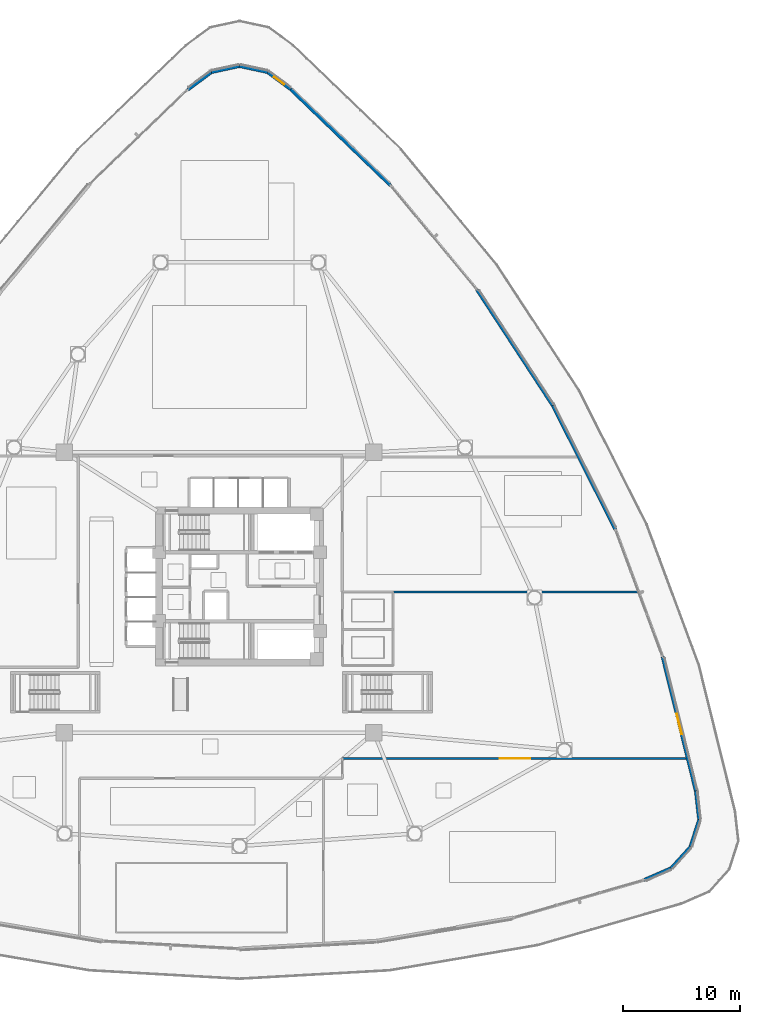
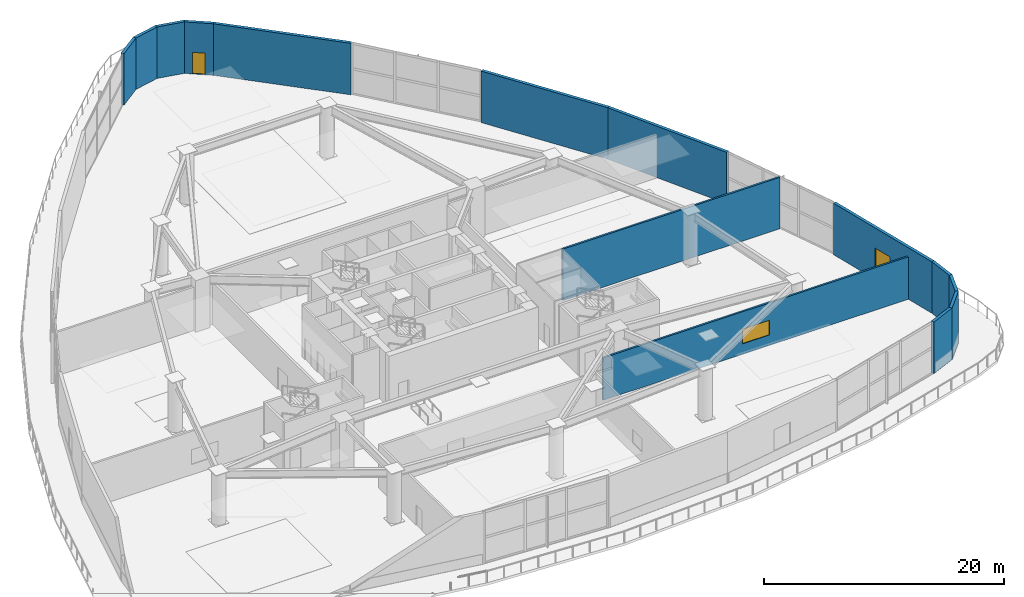
# One storey, part 15 of 26: 14 walls, 2 windows, 1 door, 3 openings.
"""IFC4 building model written with IfcOpenShell, lengths in metres."""

import ifcopenshell
import ifcopenshell.guid

model = None  # the IFC model being written
_history = None  # IfcOwnerHistory: only IFC2X3 demands one
_inside = {}  # id of a spatial element -> (the spatial element, [elements in it])
_under = {}  # id of a project, library or spatial element -> (it, [spatial elements below it])
_declared = {}  # id of a project -> (the project, [libraries it declares])
_typed = {}  # id of a type object -> (the type object, [elements of that type])
_made_of = {}  # id of a material, layer set ... -> (it, [elements and type objects made of it])


def new_model(schema):
    """Start an empty IFC model of exactly this schema.

    Asked for "IFC4X3", IfcOpenShell would pick the latest addendum, in which some entities
    have other attributes; the version numbers below select the first issue.
    IFC2X3 requires an IfcOwnerHistory on every rooted entity: one is made here for all.
    """
    global model, _history
    if schema == "IFC4X3":
        model = ifcopenshell.file(schema_version=(4, 3, 0, 0))
    else:
        model = ifcopenshell.file(schema=schema)
    _inside.clear()
    _under.clear()
    _declared.clear()
    _typed.clear()
    _made_of.clear()
    _history = None
    if model.schema == "IFC2X3":
        org = make("IfcOrganization", Name="unknown")
        user = make(
            "IfcPersonAndOrganization",
            ThePerson=make("IfcPerson", FamilyName="unknown"),
            TheOrganization=org,
        )
        app = make(
            "IfcApplication",
            ApplicationDeveloper=org,
            Version="unknown",
            ApplicationFullName="unknown",
            ApplicationIdentifier="unknown",
        )
        _history = make(
            "IfcOwnerHistory",
            OwningUser=user,
            OwningApplication=app,
            ChangeAction="ADDED",
            CreationDate=0,
        )
    return model


def make(cls, **values):
    """One entity of the class cls with the attributes given. An attribute that is None is left unset."""
    return model.create_entity(
        cls, **{name: value for name, value in values.items() if value is not None}
    )


def rooted(cls, **values):
    """An entity with a GlobalId (a new one), such as an element, a storey or a relation."""
    return make(cls, GlobalId=ifcopenshell.guid.new(), OwnerHistory=_history, **values)


def si_unit(unit_type, name, prefix=None):
    """IfcSIUnit, for example si_unit("LENGTHUNIT", "METRE", prefix="MILLI")."""
    return make("IfcSIUnit", UnitType=unit_type, Prefix=prefix, Name=name)


def assignment(units):
    """IfcUnitAssignment: the units of a project."""
    return None if units is None else make("IfcUnitAssignment", Units=units)


def point(xyz):
    """IfcCartesianPoint."""
    return None if xyz is None else make("IfcCartesianPoint", Coordinates=xyz)


def direction(xyz):
    """IfcDirection."""
    return None if xyz is None else make("IfcDirection", DirectionRatios=xyz)


def frame(location, z_axis=None, x_axis=None):
    """IfcAxis2Placement3D, a coordinate frame: its origin and axes. An axis left out is left unset."""
    return make(
        "IfcAxis2Placement3D",
        Location=point(location),
        Axis=direction(z_axis),
        RefDirection=direction(x_axis),
    )


def frame_2d(location, x_axis=None):
    """IfcAxis2Placement2D, a coordinate frame in the plane: its origin and x axis."""
    return make(
        "IfcAxis2Placement2D", Location=point(location), RefDirection=direction(x_axis)
    )


def origin():
    """The frame at (0, 0, 0) with its axes left unset."""
    return frame((0.0, 0.0, 0.0))


def place(relative_to, where):
    """IfcLocalPlacement: puts the frame where relative to a parent placement (None: the world)."""
    return make(
        "IfcLocalPlacement", PlacementRelTo=relative_to, RelativePlacement=where
    )


def context(
    kind, dimensions, precision=None, world=None, true_north=None, identifier=None
):
    """IfcGeometricRepresentationContext, for example the 3D "Model" context."""
    return make(
        "IfcGeometricRepresentationContext",
        ContextIdentifier=identifier,
        ContextType=kind,
        CoordinateSpaceDimension=dimensions,
        Precision=precision,
        WorldCoordinateSystem=world,
        TrueNorth=true_north,
    )


def subcontext(parent, identifier, kind, view, scale=None):
    """IfcGeometricRepresentationSubContext, for example "Body" below "Model"."""
    return make(
        "IfcGeometricRepresentationSubContext",
        ContextIdentifier=identifier,
        ContextType=kind,
        ParentContext=parent,
        TargetScale=scale,
        TargetView=view,
    )


def project(units=None, contexts=None):
    """IfcProject with its units and contexts."""
    return rooted(
        "IfcProject",
        Name="project",
        RepresentationContexts=contexts,
        UnitsInContext=assignment(units),
    )


def spatial(cls, under=None, at=None, **own):
    """A site, building, storey or space (cls), placed at a placement, below another one or the project."""
    s = rooted(cls, ObjectPlacement=at, **own)
    if under is not None:
        _under.setdefault(under.id(), (under, []))[1].append(s)
    return s


def profile(cls, at=None, kind="AREA", **sizes):
    """A parametric profile (cls). Its sizes go by their IFC names, for example OverallWidth=200.0."""
    return make(cls, ProfileType=kind, Position=at, **sizes)


def rectangle(**sizes):
    """IfcRectangleProfileDef."""
    return profile("IfcRectangleProfileDef", **sizes)


def extrude(swept, where, along, depth):
    """IfcExtrudedAreaSolid: the profile swept, set in the frame where, extruded along a direction by depth."""
    return make(
        "IfcExtrudedAreaSolid",
        SweptArea=swept,
        Position=where,
        ExtrudedDirection=direction(along),
        Depth=depth,
    )


def shape(context_of_items, identifier, shape_type, items):
    """IfcShapeRepresentation: the items that make up one representation, for example the "Body"."""
    return make(
        "IfcShapeRepresentation",
        ContextOfItems=context_of_items,
        RepresentationIdentifier=identifier,
        RepresentationType=shape_type,
        Items=items,
    )


def material(Name=None, Category=None):
    """IfcMaterial."""
    return make("IfcMaterial", Name=Name, Category=Category)


def layer(
    of_material, thickness, ventilated=None, Name=None, Category=None, Priority=None
):
    """IfcMaterialLayer: one layer of a wall or slab, of a material (None: an air gap)."""
    return make(
        "IfcMaterialLayer",
        Material=of_material,
        LayerThickness=thickness,
        IsVentilated=ventilated,
        Name=Name,
        Category=Category,
        Priority=Priority,
    )


def layer_set(layers, Name=None):
    """IfcMaterialLayerSet."""
    return make("IfcMaterialLayerSet", MaterialLayers=layers, LayerSetName=Name)


def made_of(thing, what):
    """Note that an element or type object is made of a material, layer set ...; save() writes the relation."""
    if what is not None:
        _made_of.setdefault(what.id(), (what, []))[1].append(thing)
    return thing


def type_object(cls, material=None, **own):
    """A type object (cls), such as IfcWallType, which elements share."""
    return made_of(rooted(cls, **own), material)


def element(
    cls,
    number,
    at=None,
    inside=None,
    cuts=None,
    type_object=None,
    material=None,
    context=None,
    identifier="Body",
    shape_type=None,
    held_by="IfcProductDefinitionShape",
    body=None,
    shapes=None,
    **own,
):
    """One element of the class cls, such as IfcWall. Its Tag is "e" and its number.

    at: its placement. inside: the storey or other place that contains it. cuts: it is an
    opening in that element (IfcRelVoidsElement). A single representation is given by context,
    identifier, shape_type and body (its items); several are given by shapes. held_by: the class
    of the entity that holds the representations. save() writes the other relations.
    """
    e = rooted(cls, Tag="e%d" % number, ObjectPlacement=at, **own)
    if body is not None:
        shapes = [shape(context, identifier, shape_type, body)]
    if shapes is not None:
        e.Representation = make(held_by, Representations=shapes)
    if inside is not None:
        _inside.setdefault(inside.id(), (inside, []))[1].append(e)
    if cuts is not None:
        rooted(
            "IfcRelVoidsElement", RelatingBuildingElement=cuts, RelatedOpeningElement=e
        )
    if type_object is not None:
        _typed.setdefault(type_object.id(), (type_object, []))[1].append(e)
    return made_of(e, material)


def fill(opening, filler):
    """IfcRelFillsElement: the door or window that sits in an opening."""
    return rooted(
        "IfcRelFillsElement",
        RelatingOpeningElement=opening,
        RelatedBuildingElement=filler,
    )


def aggregate(whole, parts):
    """IfcRelAggregates: a whole, such as a stair, and the parts it consists of."""
    return rooted("IfcRelAggregates", RelatingObject=whole, RelatedObjects=parts)


def save(model, path):
    """Write the relations noted so far, then the file.

    IfcRelAggregates (storeys below a building ...), IfcRelContainedInSpatialStructure (elements
    in a storey), IfcRelDefinesByType, IfcRelAssociatesMaterial and IfcRelDeclares: one each for
    every whole, place, type object, material and project.
    """
    for whole, parts in _under.values():
        aggregate(whole, parts)
    for where, things in _inside.values():
        rooted(
            "IfcRelContainedInSpatialStructure",
            RelatedElements=things,
            RelatingStructure=where,
        )
    for kind, things in _typed.values():
        rooted("IfcRelDefinesByType", RelatedObjects=things, RelatingType=kind)
    for what, things in _made_of.values():
        rooted("IfcRelAssociatesMaterial", RelatedObjects=things, RelatingMaterial=what)
    for by, libraries in _declared.values():
        rooted("IfcRelDeclares", RelatingContext=by, RelatedDefinitions=libraries)
    model.write(path)


model = new_model("IFC4")

# Units and contexts
model_context = context("Model", 3, precision=1e-05, world=origin(), true_north=direction((0.0, 1.0)))
body_context = subcontext(model_context, "Body", "Model", "MODEL_VIEW")
ifc_project = project(units=[si_unit("LENGTHUNIT", "METRE"), si_unit("AREAUNIT", "SQUARE_METRE"), si_unit("VOLUMEUNIT", "CUBIC_METRE"), si_unit("PLANEANGLEUNIT", "RADIAN"), si_unit("MASSUNIT", "GRAM", prefix="KILO")], contexts=[model_context])

# Site, building, storey
site_placement = place(None, origin())
site = spatial("IfcSite", under=ifc_project, at=site_placement, CompositionType="ELEMENT")
building_placement = place(site_placement, origin())
building = spatial("IfcBuilding", under=site, at=building_placement, Name="Tavelor Broadcast Tower", CompositionType="ELEMENT")
storey_placement = place(building_placement, frame((0.0, 0.0, 5.800048828125)))
storey = spatial("IfcBuildingStorey", under=building, at=storey_placement, Name="L01", CompositionType="ELEMENT", Elevation=5.800048828125)

# Wall, opening, window
ifc_material_1 = material(Name="Calcium Silicate Fire Board 180 mm", Category="gypsum")
ifc_layer_1 = layer(ifc_material_1, 0.179931640625)
ifc_layer_set_1 = layer_set([ifc_layer_1], Name="Calcium Silicate Fire Board 180 mm")
wall_type_1 = type_object("IfcWallType", Name="Fire-Rated Corridor Partition Wall 180 mm", PredefinedType="PARTITIONING", material=ifc_layer_set_1)
wall_1_placement = place(storey_placement, frame((58.800048828125, 30.300048828125, 0.0), z_axis=(0.0, 0.0, 1.0), x_axis=(1.0, 0.0, 0.0)))
wall_1 = element("IfcWall", 1, at=wall_1_placement, inside=storey, type_object=wall_type_1, Name="L01 South-East Wing North Wall", PredefinedType="PARTITIONING", context=body_context, shape_type="SweptSolid", body=[
    extrude(rectangle(XDim=29.52392578125, YDim=0.179931640625, at=frame_2d((14.761962890625, 0.0))), origin(), (0.0, 0.0, 1.0), 4.324951171875),
])
opening_1_placement = place(wall_1_placement, frame((13.4619140625, 0.0, 1.050048828125)))
opening_1 = element("IfcOpeningElement", 2, at=opening_1_placement, cuts=wall_1, Name="Opening WN04", PredefinedType="OPENING", context=body_context, shape_type="SweptSolid", body=[
    extrude(rectangle(XDim=2.60009765625, YDim=1.5, at=frame_2d((1.300048828125, 0.75))), frame((0.0, 0.10009765625, 0.0), z_axis=(0.0, -1.0, 0.0), x_axis=(1.0, 0.0, 0.0)), (0.0, 0.0, 1.0), 0.199951171875),
])
ifc_material_2 = material(Name="Acoustic Double Glazing 28 mm", Category="glass")
window_type_1 = type_object("IfcWindowType", Name="Studio Control Gallery Triple-Glazed Observation Window 2600x1500", PartitioningType="SINGLE_PANEL", PredefinedType="WINDOW", material=ifc_material_2)
window_1_placement = place(opening_1_placement, origin())
window_1 = element("IfcWindow", 3, at=window_1_placement, inside=storey, type_object=window_type_1, Name="L01 Studio Acoustic Observation Window 007", OverallHeight=1.5, OverallWidth=2.60009765625, PartitioningType="SINGLE_PANEL", PredefinedType="WINDOW", context=body_context, shape_type="SweptSolid", body=[
    extrude(rectangle(XDim=2.60009765625, YDim=1.5, at=frame_2d((1.300048828125, 0.75))), frame((0.0, 0.030029296875, 0.0), z_axis=(0.0, -1.0, 0.0), x_axis=(1.0, 0.0, 0.0)), (0.0, 0.0, 1.0), 0.06005859375),
])
fill(opening_1, window_1)

# Wall
wall_2_placement = place(storey_placement, frame((63.14990234375, 44.550048828125, 0.0), z_axis=(0.0, 0.0, 1.0), x_axis=(1.0, 0.0, 0.0)))
element("IfcWall", 4, at=wall_2_placement, inside=storey, type_object=wall_type_1, Name="L01 East Room South Wall", PredefinedType="PARTITIONING", context=body_context, shape_type="SweptSolid", body=[
    extrude(rectangle(XDim=20.94873046875, YDim=0.179931640625, at=frame_2d((10.474365234375, 0.0))), origin(), (0.0, 0.0, 1.0), 5.25),
])

# Wall, opening, door
ifc_material_3 = material(Name="Precast Concrete C40/50", Category="concrete")
ifc_layer_2 = layer(ifc_material_3, 0.280029296875)
ifc_layer_set_2 = layer_set([ifc_layer_2], Name="Precast Concrete C40/50")
wall_type_2 = type_object("IfcWallType", Name="Insulated Precast Terracotta Facade Wall 280 mm", PredefinedType="STANDARD", material=ifc_layer_set_2)
wall_3_placement = place(storey_placement, frame((54.384765625, 87.568603515625, 0.0), z_axis=(0.0, 0.0, 1.0), x_axis=(-0.804369250118, 0.59412970761, 0.0)))
wall_3 = element("IfcWall", 5, at=wall_3_placement, inside=storey, type_object=wall_type_2, Name="L01 Precast Terracotta Facade Wall 01", PredefinedType="STANDARD", context=body_context, shape_type="SweptSolid", body=[
    extrude(rectangle(XDim=2.49560546875, YDim=0.280029296875, at=frame_2d((1.247802734375, 0.0))), origin(), (0.0, 0.0, 1.0), 5.25),
])
opening_2_placement = place(wall_3_placement, frame((0.72265625, 0.0, 0.0)))
opening_2 = element("IfcOpeningElement", 6, at=opening_2_placement, cuts=wall_3, Name="Opening DR52", PredefinedType="OPENING", context=body_context, shape_type="SweptSolid", body=[
    extrude(rectangle(XDim=1.050048828125, YDim=2.199951171875, at=frame_2d((0.52490234375, 1.10009765625))), frame((0.0, 0.14990234375, 0.0), z_axis=(0.0, -1.0, 0.0), x_axis=(1.0, 0.0, 0.0)), (0.0, 0.0, 1.0), 0.300048828125),
])
ifc_material_4 = material(Name="Architectural Anodized Aluminium", Category="aluminium")
door_type = type_object("IfcDoorType", Name="Terrace Garden Glazed Access Door 1050x2200", OperationType="NOTDEFINED", PredefinedType="DOOR", material=ifc_material_4)
door_placement = place(opening_2_placement, origin())
door = element("IfcDoor", 7, at=door_placement, inside=storey, type_object=door_type, Name="L01 Terrace 1 Glazed Access Door", OperationType="SINGLE_SWING_LEFT", OverallHeight=2.199951171875, OverallWidth=1.050048828125, PredefinedType="DOOR", context=body_context, shape_type="SweptSolid", body=[
    extrude(rectangle(XDim=1.050048828125, YDim=2.199951171875, at=frame_2d((0.52490234375, 1.10009765625))), frame((0.0, 0.02490234375, 0.0), z_axis=(0.0, -1.0, 0.0), x_axis=(1.0, 0.0, 0.0)), (0.0, 0.0, 1.0), 0.050048828125),
])
fill(opening_2, door)

# Walls
for number, where, z_axis, x_axis, name in (
    (8, (52.404296875, 89.0390625, 0.0), (0.0, 0.0, 1.0), (-0.977602710655, 0.210458879878, 0.0), "L01 Precast Terracotta Facade Wall 02"),
    (9, (50.0146484375, 89.559814453125, 0.0), (0.0, 0.0, 1.0), (-0.977602710655, -0.210458879878, 0.0), "L01 Precast Terracotta Facade Wall 03"),
):
    element("IfcWall", number, at=place(storey_placement, frame(where, z_axis=z_axis, x_axis=x_axis)), inside=storey, type_object=wall_type_2, Name=name, PredefinedType="STANDARD", context=body_context, shape_type="SweptSolid", body=[
        extrude(rectangle(XDim=2.474365234375, YDim=0.280029296875, at=frame_2d((1.2373046875, 0.0))), origin(), (0.0, 0.0, 1.0), 5.25),
    ])
wall_4_placement = place(storey_placement, frame((47.62255859375, 89.05126953125, 0.0), z_axis=(0.0, 0.0, 1.0), x_axis=(-0.804382671787, -0.594111536101, 0.0)))
element("IfcWall", 10, at=wall_4_placement, inside=storey, type_object=wall_type_2, Name="L01 Precast Terracotta Facade Wall 04", PredefinedType="STANDARD", context=body_context, shape_type="SweptSolid", body=[
    extrude(rectangle(XDim=2.554443359375, YDim=0.280029296875, at=frame_2d((1.27734375, 0.0))), origin(), (0.0, 0.0, 1.0), 5.25),
])
wall_5_placement = place(storey_placement, frame((84.619140625, 19.894775390625, 0.0), z_axis=(0.0, 0.0, 1.0), x_axis=(0.916720201593, 0.399529813644, 0.0)))
element("IfcWall", 11, at=wall_5_placement, inside=storey, type_object=wall_type_2, Name="L01 Precast Terracotta Facade Wall 21", PredefinedType="STANDARD", context=body_context, shape_type="SweptSolid", body=[
    extrude(rectangle(XDim=2.55419921875, YDim=0.280029296875, at=frame_2d((1.277099609375, 0.0))), origin(), (0.0, 0.0, 1.0), 5.25),
])
for number, where, z_axis, x_axis, name in (
    (12, (86.93701171875, 20.898193359375, 0.0), (0.0, 0.0, 1.0), (0.671055411371, 0.741407199095, 0.0), "L01 Precast Terracotta Facade Wall 22"),
    (13, (88.582763671875, 22.707275390625, 0.0), (0.0, 0.0, 1.0), (0.306561670024, 0.95185079843, 0.0), "L01 Precast Terracotta Facade Wall 23"),
):
    element("IfcWall", number, at=place(storey_placement, frame(where, z_axis=z_axis, x_axis=x_axis)), inside=storey, type_object=wall_type_2, Name=name, PredefinedType="STANDARD", context=body_context, shape_type="SweptSolid", body=[
        extrude(rectangle(XDim=2.474365234375, YDim=0.280029296875, at=frame_2d((1.2373046875, 0.0))), origin(), (0.0, 0.0, 1.0), 5.25),
    ])
wall_6_placement = place(storey_placement, frame((89.33837890625, 25.033203125, 0.0), z_axis=(0.0, 0.0, 1.0), x_axis=(-0.112407002511, 0.993662249352, 0.0)))
element("IfcWall", 14, at=wall_6_placement, inside=storey, type_object=wall_type_2, Name="L01 Precast Terracotta Facade Wall 24", PredefinedType="STANDARD", context=body_context, shape_type="SweptSolid", body=[
    extrude(rectangle(XDim=2.49560546875, YDim=0.280029296875, at=frame_2d((1.247802734375, 0.0))), origin(), (0.0, 0.0, 1.0), 5.25),
])

# Wall, opening, window
wall_7_placement = place(storey_placement, frame((89.063232421875, 27.4833984375, 0.0), z_axis=(0.0, 0.0, 1.0), x_axis=(-0.240564750821, 0.970633092709, 0.0)))
wall_7 = element("IfcWall", 15, at=wall_7_placement, inside=storey, type_object=wall_type_2, Name="L01 Precast Terracotta Facade Wall 25", PredefinedType="STANDARD", context=body_context, shape_type="SweptSolid", body=[
    extrude(rectangle(XDim=11.86572265625, YDim=0.280029296875, at=frame_2d((5.932861328125, 0.0))), origin(), (0.0, 0.0, 1.0), 5.25),
])
opening_3_placement = place(wall_7_placement, frame((5.032958984375, 0.0, 1.0)))
opening_3 = element("IfcOpeningElement", 16, at=opening_3_placement, cuts=wall_7, Name="Opening WN11", PredefinedType="OPENING", context=body_context, shape_type="SweptSolid", body=[
    extrude(rectangle(XDim=1.800048828125, YDim=2.199951171875, at=frame_2d((0.89990234375, 1.10009765625))), frame((0.0, 0.14990234375, 0.0), z_axis=(0.0, -1.0, 0.0), x_axis=(1.0, 0.0, 0.0)), (0.0, 0.0, 1.0), 0.300048828125),
])
window_type_2 = type_object("IfcWindowType", Name="Podium Studio Acoustic Punched Window 1800x2200", PartitioningType="SINGLE_PANEL", PredefinedType="WINDOW", material=ifc_material_2)
window_2_placement = place(opening_3_placement, origin())
window_2 = element("IfcWindow", 17, at=window_2_placement, inside=storey, type_object=window_type_2, Name="L01 Broadcast Facade Window 25", OverallHeight=2.199951171875, OverallWidth=1.800048828125, PartitioningType="SINGLE_PANEL", PredefinedType="WINDOW", context=body_context, shape_type="SweptSolid", body=[
    extrude(rectangle(XDim=1.800048828125, YDim=2.199951171875, at=frame_2d((0.89990234375, 1.10009765625))), frame((0.0, 0.030029296875, 0.0), z_axis=(0.0, -1.0, 0.0), x_axis=(1.0, 0.0, 0.0)), (0.0, 0.0, 1.0), 0.06005859375),
])
fill(opening_3, window_2)

# Walls
wall_8_placement = place(storey_placement, frame((82.16357421875, 49.90576171875, 0.0), z_axis=(0.0, 0.0, 1.0), x_axis=(-0.45063368748, 0.892708955768, 0.0)))
element("IfcWall", 18, at=wall_8_placement, inside=storey, type_object=wall_type_2, Name="L01 Precast Terracotta Facade Wall 27", PredefinedType="STANDARD", context=body_context, shape_type="SweptSolid", body=[
    extrude(rectangle(XDim=11.866943359375, YDim=0.280029296875, at=frame_2d((5.93359375, 0.0))), origin(), (0.0, 0.0, 1.0), 5.25),
])
wall_9_placement = place(storey_placement, frame((76.8310546875, 60.473388671875, 0.0), z_axis=(0.0, 0.0, 1.0), x_axis=(-0.547806854582, 0.836604835076, 0.0)))
element("IfcWall", 19, at=wall_9_placement, inside=storey, type_object=wall_type_2, Name="L01 Precast Terracotta Facade Wall 28", PredefinedType="STANDARD", context=body_context, shape_type="SweptSolid", body=[
    extrude(rectangle(XDim=11.8671875, YDim=0.280029296875, at=frame_2d((5.93359375, 0.0))), origin(), (0.0, 0.0, 1.0), 5.25),
])
wall_10_placement = place(storey_placement, frame((62.90869140625, 79.357421875, 0.0), z_axis=(0.0, 0.0, 1.0), x_axis=(-0.720314121299, 0.693648013518, 0.0)))
element("IfcWall", 20, at=wall_10_placement, inside=storey, type_object=wall_type_2, Name="L01 Precast Terracotta Facade Wall 30", PredefinedType="STANDARD", context=body_context, shape_type="SweptSolid", body=[
    extrude(rectangle(XDim=11.865478515625, YDim=0.280029296875, at=frame_2d((5.9326171875, 0.0))), origin(), (0.0, 0.0, 1.0), 5.25),
])

save(model, "model.ifc")
